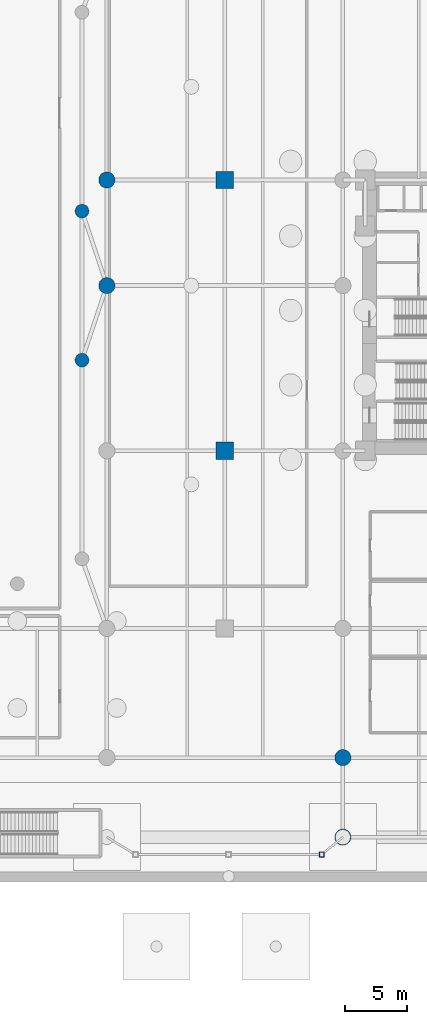
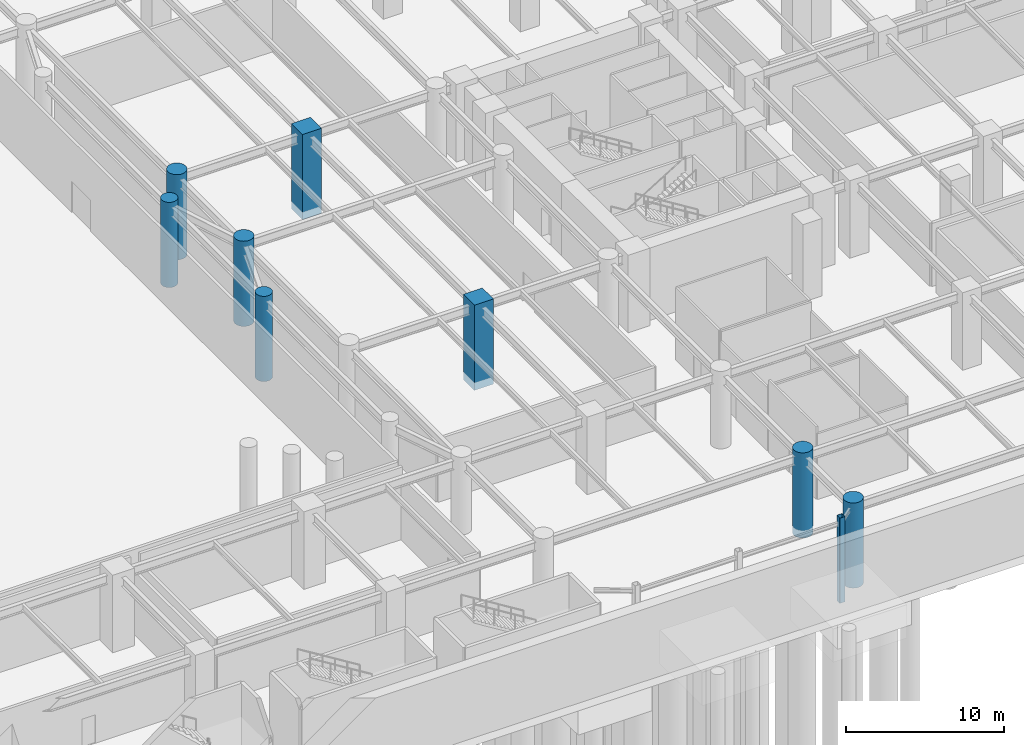
# One storey, part 5 of 37: 9 columns.
"""IFC4 building model written with IfcOpenShell, lengths in metres."""

import ifcopenshell
import ifcopenshell.guid

model = None  # the IFC model being written
_history = None  # IfcOwnerHistory: only IFC2X3 demands one
_inside = {}  # id of a spatial element -> (the spatial element, [elements in it])
_under = {}  # id of a project, library or spatial element -> (it, [spatial elements below it])
_declared = {}  # id of a project -> (the project, [libraries it declares])
_typed = {}  # id of a type object -> (the type object, [elements of that type])
_made_of = {}  # id of a material, layer set ... -> (it, [elements and type objects made of it])


def new_model(schema):
    """Start an empty IFC model of exactly this schema.

    Asked for "IFC4X3", IfcOpenShell would pick the latest addendum, in which some entities
    have other attributes; the version numbers below select the first issue.
    IFC2X3 requires an IfcOwnerHistory on every rooted entity: one is made here for all.
    """
    global model, _history
    if schema == "IFC4X3":
        model = ifcopenshell.file(schema_version=(4, 3, 0, 0))
    else:
        model = ifcopenshell.file(schema=schema)
    _inside.clear()
    _under.clear()
    _declared.clear()
    _typed.clear()
    _made_of.clear()
    _history = None
    if model.schema == "IFC2X3":
        org = make("IfcOrganization", Name="unknown")
        user = make(
            "IfcPersonAndOrganization",
            ThePerson=make("IfcPerson", FamilyName="unknown"),
            TheOrganization=org,
        )
        app = make(
            "IfcApplication",
            ApplicationDeveloper=org,
            Version="unknown",
            ApplicationFullName="unknown",
            ApplicationIdentifier="unknown",
        )
        _history = make(
            "IfcOwnerHistory",
            OwningUser=user,
            OwningApplication=app,
            ChangeAction="ADDED",
            CreationDate=0,
        )
    return model


def make(cls, **values):
    """One entity of the class cls with the attributes given. An attribute that is None is left unset."""
    return model.create_entity(
        cls, **{name: value for name, value in values.items() if value is not None}
    )


def rooted(cls, **values):
    """An entity with a GlobalId (a new one), such as an element, a storey or a relation."""
    return make(cls, GlobalId=ifcopenshell.guid.new(), OwnerHistory=_history, **values)


def si_unit(unit_type, name, prefix=None):
    """IfcSIUnit, for example si_unit("LENGTHUNIT", "METRE", prefix="MILLI")."""
    return make("IfcSIUnit", UnitType=unit_type, Prefix=prefix, Name=name)


def assignment(units):
    """IfcUnitAssignment: the units of a project."""
    return None if units is None else make("IfcUnitAssignment", Units=units)


def point(xyz):
    """IfcCartesianPoint."""
    return None if xyz is None else make("IfcCartesianPoint", Coordinates=xyz)


def direction(xyz):
    """IfcDirection."""
    return None if xyz is None else make("IfcDirection", DirectionRatios=xyz)


def frame(location, z_axis=None, x_axis=None):
    """IfcAxis2Placement3D, a coordinate frame: its origin and axes. An axis left out is left unset."""
    return make(
        "IfcAxis2Placement3D",
        Location=point(location),
        Axis=direction(z_axis),
        RefDirection=direction(x_axis),
    )


def frame_2d(location, x_axis=None):
    """IfcAxis2Placement2D, a coordinate frame in the plane: its origin and x axis."""
    return make(
        "IfcAxis2Placement2D", Location=point(location), RefDirection=direction(x_axis)
    )


def origin():
    """The frame at (0, 0, 0) with its axes left unset."""
    return frame((0.0, 0.0, 0.0))


def origin_2d():
    """The frame at (0, 0) in the plane with its x axis left unset."""
    return frame_2d((0.0, 0.0))


def place(relative_to, where):
    """IfcLocalPlacement: puts the frame where relative to a parent placement (None: the world)."""
    return make(
        "IfcLocalPlacement", PlacementRelTo=relative_to, RelativePlacement=where
    )


def context(
    kind, dimensions, precision=None, world=None, true_north=None, identifier=None
):
    """IfcGeometricRepresentationContext, for example the 3D "Model" context."""
    return make(
        "IfcGeometricRepresentationContext",
        ContextIdentifier=identifier,
        ContextType=kind,
        CoordinateSpaceDimension=dimensions,
        Precision=precision,
        WorldCoordinateSystem=world,
        TrueNorth=true_north,
    )


def subcontext(parent, identifier, kind, view, scale=None):
    """IfcGeometricRepresentationSubContext, for example "Body" below "Model"."""
    return make(
        "IfcGeometricRepresentationSubContext",
        ContextIdentifier=identifier,
        ContextType=kind,
        ParentContext=parent,
        TargetScale=scale,
        TargetView=view,
    )


def project(units=None, contexts=None):
    """IfcProject with its units and contexts."""
    return rooted(
        "IfcProject",
        Name="project",
        RepresentationContexts=contexts,
        UnitsInContext=assignment(units),
    )


def spatial(cls, under=None, at=None, **own):
    """A site, building, storey or space (cls), placed at a placement, below another one or the project."""
    s = rooted(cls, ObjectPlacement=at, **own)
    if under is not None:
        _under.setdefault(under.id(), (under, []))[1].append(s)
    return s


def profile(cls, at=None, kind="AREA", **sizes):
    """A parametric profile (cls). Its sizes go by their IFC names, for example OverallWidth=200.0."""
    return make(cls, ProfileType=kind, Position=at, **sizes)


def rectangle(**sizes):
    """IfcRectangleProfileDef."""
    return profile("IfcRectangleProfileDef", **sizes)


def hollow_rectangle(**sizes):
    """IfcRectangleHollowProfileDef."""
    return profile("IfcRectangleHollowProfileDef", **sizes)


def circle(**sizes):
    """IfcCircleProfileDef."""
    return profile("IfcCircleProfileDef", **sizes)


def extrude(swept, where, along, depth):
    """IfcExtrudedAreaSolid: the profile swept, set in the frame where, extruded along a direction by depth."""
    return make(
        "IfcExtrudedAreaSolid",
        SweptArea=swept,
        Position=where,
        ExtrudedDirection=direction(along),
        Depth=depth,
    )


def shape(context_of_items, identifier, shape_type, items):
    """IfcShapeRepresentation: the items that make up one representation, for example the "Body"."""
    return make(
        "IfcShapeRepresentation",
        ContextOfItems=context_of_items,
        RepresentationIdentifier=identifier,
        RepresentationType=shape_type,
        Items=items,
    )


def material(Name=None, Category=None):
    """IfcMaterial."""
    return make("IfcMaterial", Name=Name, Category=Category)


def material_profile(
    of_material, cross_section, Name=None, Category=None, Priority=None
):
    """IfcMaterialProfile: a cross section and its material."""
    return make(
        "IfcMaterialProfile",
        Name=Name,
        Material=of_material,
        Profile=cross_section,
        Priority=Priority,
        Category=Category,
    )


def profile_set(profiles, Name=None, composite=None):
    """IfcMaterialProfileSet."""
    return make(
        "IfcMaterialProfileSet",
        Name=Name,
        MaterialProfiles=profiles,
        CompositeProfile=composite,
    )


def made_of(thing, what):
    """Note that an element or type object is made of a material, layer set ...; save() writes the relation."""
    if what is not None:
        _made_of.setdefault(what.id(), (what, []))[1].append(thing)
    return thing


def type_object(cls, material=None, **own):
    """A type object (cls), such as IfcWallType, which elements share."""
    return made_of(rooted(cls, **own), material)


def element(
    cls,
    number,
    at=None,
    inside=None,
    cuts=None,
    type_object=None,
    material=None,
    context=None,
    identifier="Body",
    shape_type=None,
    held_by="IfcProductDefinitionShape",
    body=None,
    shapes=None,
    **own,
):
    """One element of the class cls, such as IfcWall. Its Tag is "e" and its number.

    at: its placement. inside: the storey or other place that contains it. cuts: it is an
    opening in that element (IfcRelVoidsElement). A single representation is given by context,
    identifier, shape_type and body (its items); several are given by shapes. held_by: the class
    of the entity that holds the representations. save() writes the other relations.
    """
    e = rooted(cls, Tag="e%d" % number, ObjectPlacement=at, **own)
    if body is not None:
        shapes = [shape(context, identifier, shape_type, body)]
    if shapes is not None:
        e.Representation = make(held_by, Representations=shapes)
    if inside is not None:
        _inside.setdefault(inside.id(), (inside, []))[1].append(e)
    if cuts is not None:
        rooted(
            "IfcRelVoidsElement", RelatingBuildingElement=cuts, RelatedOpeningElement=e
        )
    if type_object is not None:
        _typed.setdefault(type_object.id(), (type_object, []))[1].append(e)
    return made_of(e, material)


def aggregate(whole, parts):
    """IfcRelAggregates: a whole, such as a stair, and the parts it consists of."""
    return rooted("IfcRelAggregates", RelatingObject=whole, RelatedObjects=parts)


def save(model, path):
    """Write the relations noted so far, then the file.

    IfcRelAggregates (storeys below a building ...), IfcRelContainedInSpatialStructure (elements
    in a storey), IfcRelDefinesByType, IfcRelAssociatesMaterial and IfcRelDeclares: one each for
    every whole, place, type object, material and project.
    """
    for whole, parts in _under.values():
        aggregate(whole, parts)
    for where, things in _inside.values():
        rooted(
            "IfcRelContainedInSpatialStructure",
            RelatedElements=things,
            RelatingStructure=where,
        )
    for kind, things in _typed.values():
        rooted("IfcRelDefinesByType", RelatedObjects=things, RelatingType=kind)
    for what, things in _made_of.values():
        rooted("IfcRelAssociatesMaterial", RelatedObjects=things, RelatingMaterial=what)
    for by, libraries in _declared.values():
        rooted("IfcRelDeclares", RelatingContext=by, RelatedDefinitions=libraries)
    model.write(path)


model = new_model("IFC4")

# Units and contexts
model_context = context("Model", 3, precision=1e-05, world=origin(), true_north=direction((0.0, 1.0)))
body_context = subcontext(model_context, "Body", "Model", "MODEL_VIEW")
ifc_project = project(units=[si_unit("LENGTHUNIT", "METRE"), si_unit("AREAUNIT", "SQUARE_METRE"), si_unit("VOLUMEUNIT", "CUBIC_METRE"), si_unit("PLANEANGLEUNIT", "RADIAN"), si_unit("MASSUNIT", "GRAM", prefix="KILO")], contexts=[model_context])

# Site, building, storey
site_placement = place(None, origin())
site = spatial("IfcSite", under=ifc_project, at=site_placement, CompositionType="ELEMENT")
building_placement = place(site_placement, origin())
building = spatial("IfcBuilding", under=site, at=building_placement, Name="Narakoshi Arena Tower", CompositionType="ELEMENT")
storey_placement = place(building_placement, frame((0.0, 0.0, -6.0)))
storey = spatial("IfcBuildingStorey", under=building, at=storey_placement, Name="B01", CompositionType="ELEMENT", Elevation=-6.0)

# Columns
ifc_material_1 = material(Name="Concrete C50/60", Category="concrete")
ifc_material_profile_1 = material_profile(ifc_material_1, circle(Radius=0.550048828125, at=origin_2d()), Name="RCC1100")
ifc_profile_set_1 = profile_set([ifc_material_profile_1], Name="Concrete C50/60")
column_type_1 = type_object("IfcColumnType", Name="COL-CIR1100", PredefinedType="PILASTER", material=ifc_profile_set_1)
for number, where, z_axis, x_axis, name in (
    (1, (49.199951171875, 42.0, -0.60009765625), (0.0, 0.0, 1.0), (1.0, 0.0, 0.0), "B01 Arena Foyer Pilaster Column 02"),
    (2, (49.199951171875, 54.0, -0.60009765625), (0.0, 0.0, 1.0), (1.0, 0.0, 0.0), "B01 Arena Foyer Pilaster Column 03"),
):
    element("IfcColumn", number, at=place(storey_placement, frame(where, z_axis=z_axis, x_axis=x_axis)), inside=storey, type_object=column_type_1, Name=name, PredefinedType="PILASTER", context=body_context, shape_type="SweptSolid", body=[
        extrude(circle(Radius=0.550048828125, at=origin_2d()), origin(), (0.0, 0.0, 1.0), 6.60009765625),
    ])
ifc_material_2 = material(Name="Concrete C60/75", Category="concrete")
ifc_material_profile_2 = material_profile(ifc_material_2, circle(Radius=0.64990234375, at=origin_2d()), Name="RCC1300")
ifc_profile_set_2 = profile_set([ifc_material_profile_2], Name="Concrete C60/75")
column_type_2 = type_object("IfcColumnType", Name="COL-CIR1300", PredefinedType="PILASTER", material=ifc_profile_set_2)
for number, where, z_axis, x_axis, name in (
    (3, (51.199951171875, 48.0, -0.60009765625), (0.0, 0.0, 1.0), (1.0, 0.0, 0.0), "B01 Podium Column PC25"),
    (4, (51.199951171875, 56.5, -0.60009765625), (0.0, 0.0, 1.0), (1.0, 0.0, 0.0), "B01 Podium Column PC26"),
    (5, (70.199951171875, 3.60009765625, -0.60009765625), (0.0, 0.0, 1.0), (1.0, 0.0, 0.0), "B01 Podium Column PC33"),
    (6, (70.199951171875, 10.0, -0.60009765625), (0.0, 0.0, 1.0), (1.0, 0.0, 0.0), "B01 Podium Column PC34"),
):
    element("IfcColumn", number, at=place(storey_placement, frame(where, z_axis=z_axis, x_axis=x_axis)), inside=storey, type_object=column_type_2, Name=name, PredefinedType="PILASTER", context=body_context, shape_type="SweptSolid", body=[
        extrude(circle(Radius=0.64990234375, at=origin_2d()), origin(), (0.0, 0.0, 1.0), 6.60009765625),
    ])
ifc_material_profile_3 = material_profile(ifc_material_2, rectangle(XDim=1.39990234375, YDim=1.39990234375, at=origin_2d()), Name="RC1400x1400")
ifc_profile_set_3 = profile_set([ifc_material_profile_3], Name="Concrete C60/75")
column_type_3 = type_object("IfcColumnType", Name="COL-RC1400", PredefinedType="COLUMN", material=ifc_profile_set_3)
for number, where, z_axis, x_axis, name in (
    (7, (60.699951171875, 34.699951171875, -0.60009765625), (0.0, 0.0, 1.0), (1.0, 0.0, 0.0), "B01 Podium Column PC30"),
    (8, (60.699951171875, 56.5, -0.60009765625), (0.0, 0.0, 1.0), (1.0, 0.0, 0.0), "B01 Podium Column PC31"),
):
    element("IfcColumn", number, at=place(storey_placement, frame(where, z_axis=z_axis, x_axis=x_axis)), inside=storey, type_object=column_type_3, Name=name, PredefinedType="COLUMN", context=body_context, shape_type="SweptSolid", body=[
        extrude(rectangle(XDim=1.39990234375, YDim=1.39990234375, at=origin_2d()), origin(), (0.0, 0.0, 1.0), 6.60009765625),
    ])
ifc_material_3 = material(Name="Structural steel S355J2", Category="steel")
ifc_material_profile_4 = material_profile(ifc_material_3, hollow_rectangle(XDim=0.39990234375, YDim=0.39990234375, WallThickness=0.02001953125, OuterFilletRadius=0.0400390625, at=origin_2d()), Name="SHS400x400x20")
ifc_profile_set_4 = profile_set([ifc_material_profile_4], Name="Structural steel S355J2")
column_type_4 = type_object("IfcColumnType", Name="COL-SHS400", PredefinedType="COLUMN", material=ifc_profile_set_4)
column_placement = place(storey_placement, frame((68.5, 2.199951171875, -0.60009765625), z_axis=(0.0, 0.0, 1.0), x_axis=(1.0, 0.0, 0.0)))
element("IfcColumn", 9, at=column_placement, inside=storey, type_object=column_type_4, Name="B01 Concourse Canopy Column CAN03", PredefinedType="COLUMN", context=body_context, shape_type="SweptSolid", body=[
    extrude(hollow_rectangle(XDim=0.39990234375, YDim=0.39990234375, WallThickness=0.02001953125, OuterFilletRadius=0.0400390625, at=origin_2d()), origin(), (0.0, 0.0, 1.0), 6.60009765625),
])

save(model, "model.ifc")
